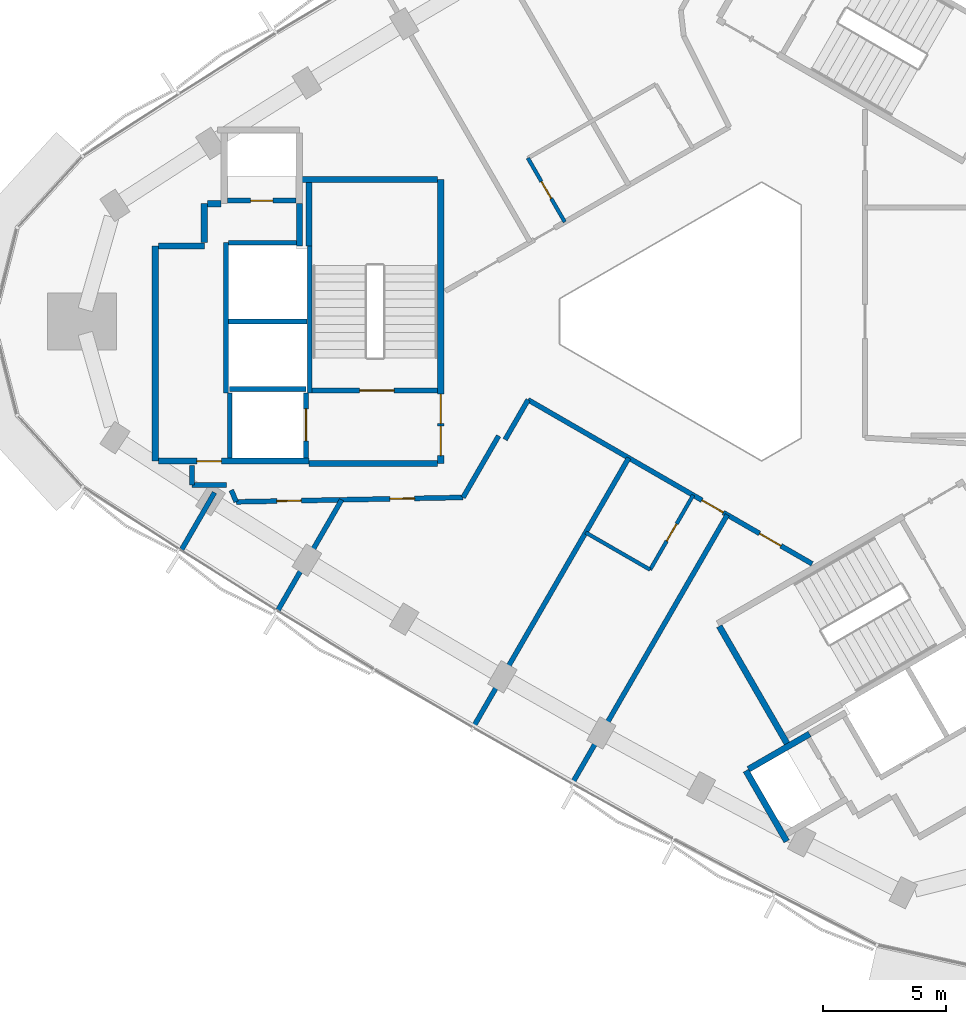
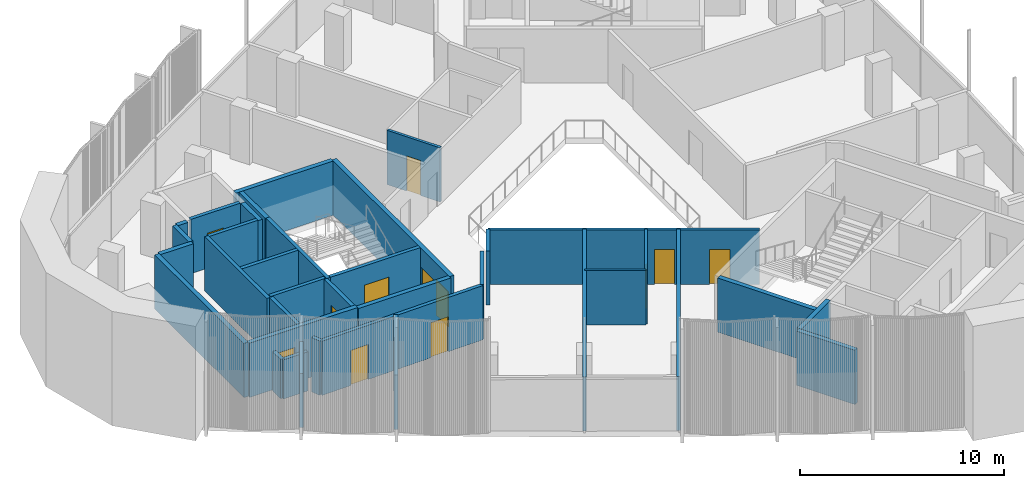
# One storey, part 8 of 16: 36 walls, 12 doors, 12 openings.
"""IFC4 building model written with IfcOpenShell, lengths in metres."""

from ifc_helpers import new_model, si_unit, direction, frame, frame_2d, origin, place, context, subcontext, project, spatial, rectangle, extrude, material, layer, layer_set, type_object, element, fill, save


model = new_model("IFC4")

# Units and contexts
model_context = context("Model", 3, precision=1e-05, world=origin(), true_north=direction((0.0, 1.0)))
body_context = subcontext(model_context, "Body", "Model", "MODEL_VIEW")
ifc_project = project(units=[si_unit("LENGTHUNIT", "METRE"), si_unit("AREAUNIT", "SQUARE_METRE"), si_unit("VOLUMEUNIT", "CUBIC_METRE"), si_unit("PLANEANGLEUNIT", "RADIAN"), si_unit("MASSUNIT", "GRAM", prefix="KILO")], contexts=[model_context])

# Site, building, storey
site_placement = place(None, origin())
site = spatial("IfcSite", under=ifc_project, at=site_placement, CompositionType="ELEMENT")
building_placement = place(site_placement, origin())
building = spatial("IfcBuilding", under=site, at=building_placement, Name="Tamra Quay Hotel Tower", CompositionType="ELEMENT")
storey_placement = place(building_placement, frame((0.0, 0.0, 243.0)))
storey = spatial("IfcBuildingStorey", under=building, at=storey_placement, Name="L61", CompositionType="ELEMENT", Elevation=243.0)

# Walls
ifc_material_1 = material(Name="Concrete M70", Category="concrete")
ifc_layer_1 = layer(ifc_material_1, 0.199951171875)
ifc_layer_set_1 = layer_set([ifc_layer_1], Name="Concrete M70 core wall 200")
wall_type_1 = type_object("IfcWallType", Name="Concrete M70 core wall 200", PredefinedType="SHEAR", material=ifc_layer_set_1)
wall_1_placement = place(storey_placement, frame((-16.162109375, 3.073974609375, 0.0), z_axis=(0.0, 0.0, 1.0), x_axis=(0.0, -1.0, 0.0)))
element("IfcWall", 1, at=wall_1_placement, inside=storey, type_object=wall_type_1, Name="CW2", PredefinedType="SHEAR", context=body_context, shape_type="SweptSolid", body=[
    extrude(rectangle(XDim=5.97412109375, YDim=0.199951171875, at=frame_2d((2.987060546875, 0.0))), origin(), (0.0, 0.0, 1.0), 3.25),
])
wall_2_placement = place(storey_placement, frame((-19.5625, -2.900146484375, 0.0), z_axis=(0.0, 0.0, 1.0), x_axis=(0.0, 1.0, 0.0)))
element("IfcWall", 2, at=wall_2_placement, inside=storey, type_object=wall_type_1, Name="CW2", PredefinedType="SHEAR", context=body_context, shape_type="SweptSolid", body=[
    extrude(rectangle(XDim=6.100341796875, YDim=0.199951171875, at=frame_2d((3.05029296875, 0.0))), origin(), (0.0, 0.0, 1.0), 3.25),
])

# Wall, opening, door
wall_3_placement = place(storey_placement, frame((-10.96337890625, -2.800048828125, 0.0), z_axis=(0.0, 0.0, 1.0), x_axis=(-1.0, 0.0, 0.0)))
wall_3 = element("IfcWall", 3, at=wall_3_placement, inside=storey, type_object=wall_type_1, Name="CW2", PredefinedType="SHEAR", context=body_context, shape_type="SweptSolid", body=[
    extrude(rectangle(XDim=5.097900390625, YDim=0.199951171875, at=frame_2d((2.548828125, 0.0))), origin(), (0.0, 0.0, 1.0), 3.25),
])
opening_1_placement = place(wall_3_placement, frame((1.77392578125, 0.0, 0.0)))
opening_1 = element("IfcOpeningElement", 4, at=opening_1_placement, cuts=wall_3, Name="Opening FD2", PredefinedType="OPENING", context=body_context, shape_type="SweptSolid", body=[
    extrude(rectangle(XDim=1.39990234375, YDim=2.10009765625, at=frame_2d((0.699951171875, 1.050048828125))), frame((0.0, 0.10986328125, 0.0), z_axis=(0.0, -1.0, 0.0), x_axis=(1.0, 0.0, 0.0)), (0.0, 0.0, 1.0), 0.219970703125),
])
ifc_material_2 = material(Name="Core door FD2 1400x2100 RH")
door_type_1 = type_object("IfcDoorType", Name="Core door FD2 1400x2100 RH", OperationType="NOTDEFINED", PredefinedType="DOOR", material=ifc_material_2)
door_1_placement = place(opening_1_placement, origin())
door_1 = element("IfcDoor", 5, at=door_1_placement, inside=storey, type_object=door_type_1, Name="FD2", OperationType="SINGLE_SWING_RIGHT", OverallHeight=2.10009765625, OverallWidth=1.39990234375, PredefinedType="DOOR", context=body_context, shape_type="SweptSolid", body=[
    extrude(rectangle(XDim=1.39990234375, YDim=2.10009765625, at=frame_2d((0.699951171875, 1.050048828125))), frame((0.0, 0.02490234375, 0.0), z_axis=(0.0, -1.0, 0.0), x_axis=(1.0, 0.0, 0.0)), (0.0, 0.0, 1.0), 0.050048828125),
])
fill(opening_1, door_1)

# Wall
wall_4_placement = place(storey_placement, frame((-16.26318359375, 0.0, 0.0), z_axis=(0.0, 0.0, 1.0), x_axis=(-1.0, 0.0, 0.0)))
element("IfcWall", 6, at=wall_4_placement, inside=storey, type_object=wall_type_1, Name="CW2", PredefinedType="SHEAR", context=body_context, shape_type="SweptSolid", body=[
    extrude(rectangle(XDim=3.1982421875, YDim=0.199951171875, at=frame_2d((1.59912109375, 0.0))), origin(), (0.0, 0.0, 1.0), 3.25),
])

# Wall, opening, door
wall_5_placement = place(storey_placement, frame((-19.51123046875, 4.91015625, 0.0), z_axis=(0.0, 0.0, 1.0), x_axis=(1.0, 0.0, 0.0)))
wall_5 = element("IfcWall", 7, at=wall_5_placement, inside=storey, type_object=wall_type_1, Name="CW2", PredefinedType="SHEAR", context=body_context, shape_type="SweptSolid", body=[
    extrude(rectangle(XDim=2.7978515625, YDim=0.199951171875, at=frame_2d((1.39892578125, 0.0))), origin(), (0.0, 0.0, 1.0), 3.25),
])
opening_2_placement = place(wall_5_placement, frame((0.948974609375, 0.0, 0.0)))
opening_2 = element("IfcOpeningElement", 8, at=opening_2_placement, cuts=wall_5, Name="Opening D1", PredefinedType="OPENING", context=body_context, shape_type="SweptSolid", body=[
    extrude(rectangle(XDim=0.89990234375, YDim=2.10009765625, at=frame_2d((0.449951171875, 1.050048828125))), frame((0.0, 0.10986328125, 0.0), z_axis=(0.0, -1.0, 0.0), x_axis=(1.0, 0.0, 0.0)), (0.0, 0.0, 1.0), 0.219970703125),
])
ifc_material_3 = material(Name="Core door D1 900x2100 LH")
door_type_2 = type_object("IfcDoorType", Name="Core door D1 900x2100 LH", OperationType="NOTDEFINED", PredefinedType="DOOR", material=ifc_material_3)
door_2_placement = place(opening_2_placement, origin())
door_2 = element("IfcDoor", 9, at=door_2_placement, inside=storey, type_object=door_type_2, Name="D1", OperationType="SINGLE_SWING_LEFT", OverallHeight=2.10009765625, OverallWidth=0.89990234375, PredefinedType="DOOR", context=body_context, shape_type="SweptSolid", body=[
    extrude(rectangle(XDim=0.89990234375, YDim=2.10009765625, at=frame_2d((0.449951171875, 1.050048828125))), frame((0.0, 0.02490234375, 0.0), z_axis=(0.0, -1.0, 0.0), x_axis=(1.0, 0.0, 0.0)), (0.0, 0.0, 1.0), 0.050048828125),
])
fill(opening_2, door_2)

# Walls
wall_6_placement = place(storey_placement, frame((-19.46240234375, 3.2001953125, 0.0), z_axis=(0.0, 0.0, 1.0), x_axis=(1.0, 0.0, 0.0)))
element("IfcWall", 10, at=wall_6_placement, inside=storey, type_object=wall_type_1, Name="CW2", PredefinedType="SHEAR", context=body_context, shape_type="SweptSolid", body=[
    extrude(rectangle(XDim=2.759033203125, YDim=0.199951171875, at=frame_2d((1.37939453125, 0.0))), origin(), (0.0, 0.0, 1.0), 3.25),
])
wall_7_placement = place(storey_placement, frame((-19.412353515625, -2.75, 0.0), z_axis=(0.0, 0.0, 1.0), x_axis=(1.0, 0.0, 0.0)))
element("IfcWall", 11, at=wall_7_placement, inside=storey, type_object=wall_type_1, Name="CW2", PredefinedType="SHEAR", context=body_context, shape_type="SweptSolid", body=[
    extrude(rectangle(XDim=3.10009765625, YDim=0.199951171875, at=frame_2d((1.550048828125, 0.0))), origin(), (0.0, 0.0, 1.0), 3.25),
])

# Wall, opening, door
wall_8_placement = place(storey_placement, frame((-16.312255859375, -2.898193359375, 0.0), z_axis=(0.0, 0.0, 1.0), x_axis=(0.0, -1.0, 0.0)))
wall_8 = element("IfcWall", 12, at=wall_8_placement, inside=storey, type_object=wall_type_1, Name="CW2", PredefinedType="SHEAR", context=body_context, shape_type="SweptSolid", body=[
    extrude(rectangle(XDim=2.65087890625, YDim=0.199951171875, at=frame_2d((1.325439453125, 0.0))), origin(), (0.0, 0.0, 1.0), 3.25),
])
opening_3_placement = place(wall_8_placement, frame((0.65185546875, 0.0, 0.0)))
opening_3 = element("IfcOpeningElement", 13, at=opening_3_placement, cuts=wall_8, Name="Opening LD", PredefinedType="OPENING", context=body_context, shape_type="SweptSolid", body=[
    extrude(rectangle(XDim=1.300048828125, YDim=2.10009765625, at=frame_2d((0.64990234375, 1.050048828125))), frame((0.0, 0.10986328125, 0.0), z_axis=(0.0, -1.0, 0.0), x_axis=(1.0, 0.0, 0.0)), (0.0, 0.0, 1.0), 0.219970703125),
])
ifc_material_4 = material(Name="Landing door LD 1300 sliding to right")
door_type_3 = type_object("IfcDoorType", Name="Landing door LD 1300 sliding to right", OperationType="NOTDEFINED", PredefinedType="DOOR", material=ifc_material_4)
door_3_placement = place(opening_3_placement, origin())
door_3 = element("IfcDoor", 14, at=door_3_placement, inside=storey, type_object=door_type_3, Name="LD", OperationType="SLIDING_TO_RIGHT", OverallHeight=2.10009765625, OverallWidth=1.300048828125, PredefinedType="DOOR", context=body_context, shape_type="SweptSolid", body=[
    extrude(rectangle(XDim=1.300048828125, YDim=2.10009765625, at=frame_2d((0.64990234375, 1.050048828125))), frame((0.0, 0.02490234375, 0.0), z_axis=(0.0, -1.0, 0.0), x_axis=(1.0, 0.0, 0.0)), (0.0, 0.0, 1.0), 0.050048828125),
])
fill(opening_3, door_3)

# Wall
wall_9_placement = place(storey_placement, frame((-19.412353515625, -5.549072265625, 0.0), z_axis=(0.0, 0.0, 1.0), x_axis=(0.0, 1.0, 0.0)))
element("IfcWall", 15, at=wall_9_placement, inside=storey, type_object=wall_type_1, Name="CW2", PredefinedType="SHEAR", context=body_context, shape_type="SweptSolid", body=[
    extrude(rectangle(XDim=2.65087890625, YDim=0.199951171875, at=frame_2d((1.325439453125, 0.0))), origin(), (0.0, 0.0, 1.0), 3.25),
])

# Wall, openings, doors
ifc_layer_2 = layer(ifc_material_1, 0.25)
ifc_layer_set_2 = layer_set([ifc_layer_2], Name="Concrete M70 core wall 250")
wall_type_2 = type_object("IfcWallType", Name="Concrete M70 core wall 250", PredefinedType="SHEAR", material=ifc_layer_set_2)
wall_10_placement = place(storey_placement, frame((-10.83740234375, 5.77490234375, 0.0), z_axis=(0.0, 0.0, 1.0), x_axis=(0.0, -1.0, 0.0)))
wall_10 = element("IfcWall", 16, at=wall_10_placement, inside=storey, type_object=wall_type_2, Name="CW1", PredefinedType="SHEAR", context=body_context, shape_type="SweptSolid", body=[
    extrude(rectangle(XDim=11.5498046875, YDim=0.25, at=frame_2d((5.77490234375, 0.0))), origin(), (0.0, 0.0, 1.0), 3.25),
])
opening_4_placement = place(wall_10_placement, frame((10.02490234375, 0.0, 0.0)))
opening_4 = element("IfcOpeningElement", 17, at=opening_4_placement, cuts=wall_10, Name="Opening FD1", PredefinedType="OPENING", context=body_context, shape_type="SweptSolid", body=[
    extrude(rectangle(XDim=1.199951171875, YDim=2.10009765625, at=frame_2d((0.60009765625, 1.050048828125))), frame((0.0, 0.135009765625, 0.0), z_axis=(0.0, -1.0, 0.0), x_axis=(1.0, 0.0, 0.0)), (0.0, 0.0, 1.0), 0.27001953125),
])
opening_5_placement = place(wall_10_placement, frame((8.72509765625, 0.0, 0.0)))
opening_5 = element("IfcOpeningElement", 18, at=opening_5_placement, cuts=wall_10, Name="Opening FD1", PredefinedType="OPENING", context=body_context, shape_type="SweptSolid", body=[
    extrude(rectangle(XDim=1.199951171875, YDim=2.10009765625, at=frame_2d((0.60009765625, 1.050048828125))), frame((0.0, 0.135009765625, 0.0), z_axis=(0.0, -1.0, 0.0), x_axis=(1.0, 0.0, 0.0)), (0.0, 0.0, 1.0), 0.27001953125),
])
ifc_material_5 = material(Name="Core door FD1 1200x2100 LH")
door_type_4 = type_object("IfcDoorType", Name="Core door FD1 1200x2100 LH", OperationType="NOTDEFINED", PredefinedType="DOOR", material=ifc_material_5)
door_4_placement = place(opening_4_placement, origin())
door_4 = element("IfcDoor", 19, at=door_4_placement, inside=storey, type_object=door_type_4, Name="FD1", OperationType="SINGLE_SWING_LEFT", OverallHeight=2.10009765625, OverallWidth=1.199951171875, PredefinedType="DOOR", context=body_context, shape_type="SweptSolid", body=[
    extrude(rectangle(XDim=1.199951171875, YDim=2.10009765625, at=frame_2d((0.60009765625, 1.050048828125))), frame((0.0, 0.02490234375, 0.0), z_axis=(0.0, -1.0, 0.0), x_axis=(1.0, 0.0, 0.0)), (0.0, 0.0, 1.0), 0.050048828125),
])
fill(opening_4, door_4)
ifc_material_6 = material(Name="Core door FD1 1200x2100 RH")
door_type_5 = type_object("IfcDoorType", Name="Core door FD1 1200x2100 RH", OperationType="NOTDEFINED", PredefinedType="DOOR", material=ifc_material_6)
door_5_placement = place(opening_5_placement, origin())
door_5 = element("IfcDoor", 20, at=door_5_placement, inside=storey, type_object=door_type_5, Name="FD1", OperationType="SINGLE_SWING_RIGHT", OverallHeight=2.10009765625, OverallWidth=1.199951171875, PredefinedType="DOOR", context=body_context, shape_type="SweptSolid", body=[
    extrude(rectangle(XDim=1.199951171875, YDim=2.10009765625, at=frame_2d((0.60009765625, 1.050048828125))), frame((0.0, 0.02490234375, 0.0), z_axis=(0.0, -1.0, 0.0), x_axis=(1.0, 0.0, 0.0)), (0.0, 0.0, 1.0), 0.050048828125),
])
fill(opening_5, door_5)

# Wall
wall_11_placement = place(storey_placement, frame((-22.437255859375, -5.675048828125, 0.0), z_axis=(0.0, 0.0, 1.0), x_axis=(0.0, 1.0, 0.0)))
element("IfcWall", 21, at=wall_11_placement, inside=storey, type_object=wall_type_2, Name="CW1", PredefinedType="SHEAR", context=body_context, shape_type="SweptSolid", body=[
    extrude(rectangle(XDim=8.75, YDim=0.25, at=frame_2d((4.375, 0.0))), origin(), (0.0, 0.0, 1.0), 3.25),
])

# Wall, opening, door
wall_12_placement = place(storey_placement, frame((-16.187255859375, -5.675048828125, 0.0), z_axis=(0.0, 0.0, 1.0), x_axis=(-1.0, 0.0, 0.0)))
wall_12 = element("IfcWall", 22, at=wall_12_placement, inside=storey, type_object=wall_type_2, Name="CW1", PredefinedType="SHEAR", context=body_context, shape_type="SweptSolid", body=[
    extrude(rectangle(XDim=6.12451171875, YDim=0.25, at=frame_2d((3.062255859375, 0.0))), origin(), (0.0, 0.0, 1.0), 3.25),
])
opening_6_placement = place(wall_12_placement, frame((3.562744140625, 0.0, 0.0)))
opening_6 = element("IfcOpeningElement", 23, at=opening_6_placement, cuts=wall_12, Name="Opening FD3", PredefinedType="OPENING", context=body_context, shape_type="SweptSolid", body=[
    extrude(rectangle(XDim=1.0, YDim=2.10009765625, at=frame_2d((0.5, 1.050048828125))), frame((0.0, 0.135009765625, 0.0), z_axis=(0.0, -1.0, 0.0), x_axis=(1.0, 0.0, 0.0)), (0.0, 0.0, 1.0), 0.27001953125),
])
ifc_material_7 = material(Name="Core door FD3 1000x2100 LH")
door_type_6 = type_object("IfcDoorType", Name="Core door FD3 1000x2100 LH", OperationType="NOTDEFINED", PredefinedType="DOOR", material=ifc_material_7)
door_6_placement = place(opening_6_placement, origin())
door_6 = element("IfcDoor", 24, at=door_6_placement, inside=storey, type_object=door_type_6, Name="FD3", OperationType="SINGLE_SWING_LEFT", OverallHeight=2.10009765625, OverallWidth=1.0, PredefinedType="DOOR", context=body_context, shape_type="SweptSolid", body=[
    extrude(rectangle(XDim=1.0, YDim=2.10009765625, at=frame_2d((0.5, 1.050048828125))), frame((0.0, 0.02490234375, 0.0), z_axis=(0.0, -1.0, 0.0), x_axis=(1.0, 0.0, 0.0)), (0.0, 0.0, 1.0), 0.050048828125),
])
fill(opening_6, door_6)

# Walls
wall_13_placement = place(storey_placement, frame((-10.962646484375, -5.77490234375, 0.0), z_axis=(0.0, 0.0, 1.0), x_axis=(-1.0, 0.0, 0.0)))
element("IfcWall", 25, at=wall_13_placement, inside=storey, type_object=wall_type_2, Name="CW1", PredefinedType="SHEAR", context=body_context, shape_type="SweptSolid", body=[
    extrude(rectangle(XDim=5.224609375, YDim=0.25, at=frame_2d((2.6123046875, 0.0))), origin(), (0.0, 0.0, 1.0), 3.25),
])
wall_14_placement = place(storey_placement, frame((-16.47216796875, 5.77490234375, 0.0), z_axis=(0.0, 0.0, 1.0), x_axis=(1.0, 0.0, 0.0)))
element("IfcWall", 26, at=wall_14_placement, inside=storey, type_object=wall_type_2, Name="CW1", PredefinedType="SHEAR", context=body_context, shape_type="SweptSolid", body=[
    extrude(rectangle(XDim=5.509521484375, YDim=0.25, at=frame_2d((2.7548828125, 0.0))), origin(), (0.0, 0.0, 1.0), 3.25),
])
wall_15_placement = place(storey_placement, frame((-16.187255859375, 3.074951171875, 0.0), z_axis=(0.0, 0.0, 1.0), x_axis=(0.0, 1.0, 0.0)))
element("IfcWall", 27, at=wall_15_placement, inside=storey, type_object=wall_type_2, Name="CW1", PredefinedType="SHEAR", context=body_context, shape_type="SweptSolid", body=[
    extrude(rectangle(XDim=2.57470703125, YDim=0.25, at=frame_2d((1.287353515625, 0.0))), origin(), (0.0, 0.0, 1.0), 3.25),
])
wall_16_placement = place(storey_placement, frame((-22.311767578125, 3.074951171875, 0.0), z_axis=(0.0, 0.0, 1.0), x_axis=(1.0, 0.0, 0.0)))
element("IfcWall", 28, at=wall_16_placement, inside=storey, type_object=wall_type_2, Name="CW1", PredefinedType="SHEAR", context=body_context, shape_type="SweptSolid", body=[
    extrude(rectangle(XDim=1.864501953125, YDim=0.25, at=frame_2d((0.93212890625, 0.0))), origin(), (0.0, 0.0, 1.0), 3.25),
])
wall_17_placement = place(storey_placement, frame((-16.577392578125, 4.784912109375, 0.0), z_axis=(0.0, 0.0, 1.0), x_axis=(0.0, -1.0, 0.0)))
element("IfcWall", 29, at=wall_17_placement, inside=storey, type_object=wall_type_2, Name="CW1", PredefinedType="SHEAR", context=body_context, shape_type="SweptSolid", body=[
    extrude(rectangle(XDim=1.7099609375, YDim=0.25, at=frame_2d((0.85498046875, 0.0))), origin(), (0.0, 0.0, 1.0), 3.25),
])
wall_18_placement = place(storey_placement, frame((-20.447265625, 3.200439453125, 0.0), z_axis=(0.0, 0.0, 1.0), x_axis=(0.0, 1.0, 0.0)))
element("IfcWall", 30, at=wall_18_placement, inside=storey, type_object=wall_type_2, Name="CW1", PredefinedType="SHEAR", context=body_context, shape_type="SweptSolid", body=[
    extrude(rectangle(XDim=1.58447265625, YDim=0.25, at=frame_2d((0.792236328125, 0.0))), origin(), (0.0, 0.0, 1.0), 3.25),
])
wall_19_placement = place(storey_placement, frame((-20.32177734375, 4.784912109375, 0.0), z_axis=(0.0, 0.0, 1.0), x_axis=(1.0, 0.0, 0.0)))
element("IfcWall", 31, at=wall_19_placement, inside=storey, type_object=wall_type_2, Name="CW1", PredefinedType="SHEAR", context=body_context, shape_type="SweptSolid", body=[
    extrude(rectangle(XDim=0.55908203125, YDim=0.25, at=frame_2d((0.279541015625, 0.0))), origin(), (0.0, 0.0, 1.0), 3.25),
])
wall_20_placement = place(storey_placement, frame((3.23486328125, -17.15283203125, 0.0), z_axis=(0.0, 0.0, 1.0), x_axis=(-0.500008851346, 0.866020293397, 0.0)))
element("IfcWall", 32, at=wall_20_placement, inside=storey, type_object=wall_type_2, Name="CW1", PredefinedType="SHEAR", context=body_context, shape_type="SweptSolid", body=[
    extrude(rectangle(XDim=5.509765625, YDim=0.25, at=frame_2d((2.7548828125, 0.0))), origin(), (0.0, 0.0, 1.0), 3.25),
])
wall_21_placement = place(storey_placement, frame((3.216796875, -21.12158203125, 0.0), z_axis=(0.0, 0.0, 1.0), x_axis=(-0.499998874531, 0.866026053573, 0.0)))
element("IfcWall", 33, at=wall_21_placement, inside=storey, type_object=wall_type_2, Name="CW1", PredefinedType="SHEAR", context=body_context, shape_type="SweptSolid", body=[
    extrude(rectangle(XDim=3.31298828125, YDim=0.25, at=frame_2d((1.656494140625, 0.0))), origin(), (0.0, 0.0, 1.0), 3.25),
])
wall_22_placement = place(storey_placement, frame((1.6689453125, -18.189697265625, 0.0), z_axis=(0.0, 0.0, 1.0), x_axis=(0.866042235819, 0.499970844928, 0.0)))
element("IfcWall", 34, at=wall_22_placement, inside=storey, type_object=wall_type_2, Name="CW1", PredefinedType="SHEAR", context=body_context, shape_type="SweptSolid", body=[
    extrude(rectangle(XDim=2.864501953125, YDim=0.25, at=frame_2d((1.43212890625, 0.0))), origin(), (0.0, 0.0, 1.0), 3.25),
])
ifc_material_8 = material(Name="Partition corridor wall")
ifc_layer_3 = layer(ifc_material_8, 0.199951171875)
ifc_layer_set_3 = layer_set([ifc_layer_3], Name="Partition corridor wall")
wall_type_3 = type_object("IfcWallType", Name="Partition corridor wall", PredefinedType="PARTITIONING", material=ifc_layer_set_3)
wall_23_placement = place(storey_placement, frame((-20.949951171875, -6.64990234375, 0.0), z_axis=(0.0, 0.0, 1.0), x_axis=(0.0, 1.0, 0.0)))
element("IfcWall", 35, at=wall_23_placement, inside=storey, type_object=wall_type_3, Name="W-C", PredefinedType="PARTITIONING", context=body_context, shape_type="SweptSolid", body=[
    extrude(rectangle(XDim=0.789794921875, YDim=0.199951171875, at=frame_2d((0.39501953125, 0.0))), origin(), (0.0, 0.0, 1.0), 2.35009765625),
])
wall_24_placement = place(storey_placement, frame((-20.949951171875, -6.64990234375, 0.0), z_axis=(0.0, 0.0, 1.0), x_axis=(1.0, 0.0, 0.0)))
element("IfcWall", 36, at=wall_24_placement, inside=storey, type_object=wall_type_3, Name="W-C", PredefinedType="PARTITIONING", context=body_context, shape_type="SweptSolid", body=[
    extrude(rectangle(XDim=1.39990234375, YDim=0.199951171875, at=frame_2d((0.699951171875, 0.0))), origin(), (0.0, 0.0, 1.0), 2.35009765625),
])
wall_25_placement = place(storey_placement, frame((-19.14990234375, -7.327880859375, 0.0), z_axis=(0.0, 0.0, 1.0), x_axis=(-0.38712813986, 0.92202592335, 0.0)))
element("IfcWall", 37, at=wall_25_placement, inside=storey, type_object=wall_type_3, Name="W-C", PredefinedType="PARTITIONING", context=body_context, shape_type="SweptSolid", body=[
    extrude(rectangle(XDim=0.51708984375, YDim=0.199951171875, at=frame_2d((0.258544921875, 0.0))), origin(), (0.0, 0.0, 1.0), 3.25),
])

# Wall, openings, doors
wall_26_placement = place(storey_placement, frame((-19.14892578125, -7.3291015625, 0.0), z_axis=(0.0, 0.0, 1.0), x_axis=(0.999808990333, 0.019544381503, 0.0)))
wall_26 = element("IfcWall", 38, at=wall_26_placement, inside=storey, type_object=wall_type_3, Name="W-C", PredefinedType="PARTITIONING", context=body_context, shape_type="SweptSolid", body=[
    extrude(rectangle(XDim=9.21875, YDim=0.199951171875, at=frame_2d((4.609375, 0.0))), origin(), (0.0, 0.0, 1.0), 3.25),
])
opening_7_placement = place(wall_26_placement, frame((1.64892578125, 0.0, 0.0)))
opening_7 = element("IfcOpeningElement", 39, at=opening_7_placement, cuts=wall_26, Name="Opening L61-D007", PredefinedType="OPENING", context=body_context, shape_type="SweptSolid", body=[
    extrude(rectangle(XDim=1.0, YDim=2.10009765625, at=frame_2d((0.5, 1.050048828125))), frame((0.0, 0.10986328125, 0.0), z_axis=(0.0, -1.0, 0.0), x_axis=(1.0, 0.0, 0.0)), (0.0, 0.0, 1.0), 0.219970703125),
])
opening_8_placement = place(wall_26_placement, frame((6.245361328125, 0.0, 0.0)))
opening_8 = element("IfcOpeningElement", 40, at=opening_8_placement, cuts=wall_26, Name="Opening L61-D008", PredefinedType="OPENING", context=body_context, shape_type="SweptSolid", body=[
    extrude(rectangle(XDim=1.0, YDim=2.10009765625, at=frame_2d((0.5, 1.050048828125))), frame((0.0, 0.10986328125, 0.0), z_axis=(0.0, -1.0, 0.0), x_axis=(1.0, 0.0, 0.0)), (0.0, 0.0, 1.0), 0.219970703125),
])
ifc_material_9 = material(Name="Door guest room 1000x2100")
door_type_7 = type_object("IfcDoorType", Name="Door guest room 1000x2100", OperationType="NOTDEFINED", PredefinedType="DOOR", material=ifc_material_9)
door_7_placement = place(opening_7_placement, frame((1.0, 0.0, 0.0), z_axis=(0.0, 0.0, 1.0), x_axis=(-1.0, 0.0, 0.0)))
door_7 = element("IfcDoor", 41, at=door_7_placement, inside=storey, type_object=door_type_7, Name="L61-D007", OperationType="SINGLE_SWING_LEFT", OverallHeight=2.10009765625, OverallWidth=1.0, PredefinedType="DOOR", context=body_context, shape_type="SweptSolid", body=[
    extrude(rectangle(XDim=1.0, YDim=2.10009765625, at=frame_2d((0.5, 1.050048828125))), frame((0.0, 0.02490234375, 0.0), z_axis=(0.0, -1.0, 0.0), x_axis=(1.0, 0.0, 0.0)), (0.0, 0.0, 1.0), 0.050048828125),
])
fill(opening_7, door_7)
door_8_placement = place(opening_8_placement, frame((1.0, 0.0, 0.0), z_axis=(0.0, 0.0, 1.0), x_axis=(-1.0, 0.0, 0.0)))
door_8 = element("IfcDoor", 42, at=door_8_placement, inside=storey, type_object=door_type_7, Name="L61-D008", OperationType="SINGLE_SWING_LEFT", OverallHeight=2.10009765625, OverallWidth=1.0, PredefinedType="DOOR", context=body_context, shape_type="SweptSolid", body=[
    extrude(rectangle(XDim=1.0, YDim=2.10009765625, at=frame_2d((0.5, 1.050048828125))), frame((0.0, 0.02490234375, 0.0), z_axis=(0.0, -1.0, 0.0), x_axis=(1.0, 0.0, 0.0)), (0.0, 0.0, 1.0), 0.050048828125),
])
fill(opening_8, door_8)

# Walls
wall_27_placement = place(storey_placement, frame((-9.930908203125, -7.14892578125, 0.0), z_axis=(0.0, 0.0, 1.0), x_axis=(0.499829760107, 0.866123669525, 0.0)))
element("IfcWall", 43, at=wall_27_placement, inside=storey, type_object=wall_type_3, Name="W-C", PredefinedType="PARTITIONING", context=body_context, shape_type="SweptSolid", body=[
    extrude(rectangle(XDim=2.888671875, YDim=0.199951171875, at=frame_2d((1.4443359375, 0.0))), origin(), (0.0, 0.0, 1.0), 3.25),
])
wall_28_placement = place(storey_placement, frame((-8.222900390625, -4.800048828125, 0.0), z_axis=(0.0, 0.0, 1.0), x_axis=(0.499835576036, 0.866120313195, 0.0)))
element("IfcWall", 44, at=wall_28_placement, inside=storey, type_object=wall_type_3, Name="W-C", PredefinedType="PARTITIONING", context=body_context, shape_type="SweptSolid", body=[
    extrude(rectangle(XDim=1.868408203125, YDim=0.199951171875, at=frame_2d((0.93408203125, 0.0))), origin(), (0.0, 0.0, 1.0), 3.25),
])

# Wall, openings, doors
wall_29_placement = place(storey_placement, frame((-7.2890625, -3.181884765625, 0.0), z_axis=(0.0, 0.0, 1.0), x_axis=(0.865979329032, -0.500079795322, 0.0)))
wall_29 = element("IfcWall", 45, at=wall_29_placement, inside=storey, type_object=wall_type_3, Name="W-C", PredefinedType="PARTITIONING", context=body_context, shape_type="SweptSolid", body=[
    extrude(rectangle(XDim=13.325927734375, YDim=0.199951171875, at=frame_2d((6.6630859375, 0.0))), origin(), (0.0, 0.0, 1.0), 3.25),
])
opening_9_placement = place(wall_29_placement, frame((8.15771484375, 0.0, 0.0)))
opening_9 = element("IfcOpeningElement", 46, at=opening_9_placement, cuts=wall_29, Name="Opening L61-D009", PredefinedType="OPENING", context=body_context, shape_type="SweptSolid", body=[
    extrude(rectangle(XDim=1.0, YDim=2.10009765625, at=frame_2d((0.5, 1.050048828125))), frame((0.0, 0.10986328125, 0.0), z_axis=(0.0, -1.0, 0.0), x_axis=(1.0, 0.0, 0.0)), (0.0, 0.0, 1.0), 0.219970703125),
])
opening_10_placement = place(wall_29_placement, frame((10.86474609375, 0.0, 0.0)))
opening_10 = element("IfcOpeningElement", 47, at=opening_10_placement, cuts=wall_29, Name="Opening L61-D011", PredefinedType="OPENING", context=body_context, shape_type="SweptSolid", body=[
    extrude(rectangle(XDim=1.0, YDim=2.10009765625, at=frame_2d((0.5, 1.050048828125))), frame((0.0, 0.10986328125, 0.0), z_axis=(0.0, -1.0, 0.0), x_axis=(1.0, 0.0, 0.0)), (0.0, 0.0, 1.0), 0.219970703125),
])
door_9_placement = place(opening_9_placement, frame((1.0, 0.0, 0.0), z_axis=(0.0, 0.0, 1.0), x_axis=(-1.0, 0.0, 0.0)))
door_9 = element("IfcDoor", 48, at=door_9_placement, inside=storey, type_object=door_type_7, Name="L61-D009", OperationType="SINGLE_SWING_LEFT", OverallHeight=2.10009765625, OverallWidth=1.0, PredefinedType="DOOR", context=body_context, shape_type="SweptSolid", body=[
    extrude(rectangle(XDim=1.0, YDim=2.10009765625, at=frame_2d((0.5, 1.050048828125))), frame((0.0, 0.02490234375, 0.0), z_axis=(0.0, -1.0, 0.0), x_axis=(1.0, 0.0, 0.0)), (0.0, 0.0, 1.0), 0.050048828125),
])
fill(opening_9, door_9)
door_10_placement = place(opening_10_placement, frame((1.0, 0.0, 0.0), z_axis=(0.0, 0.0, 1.0), x_axis=(-1.0, 0.0, 0.0)))
door_10 = element("IfcDoor", 49, at=door_10_placement, inside=storey, type_object=door_type_7, Name="L61-D011", OperationType="SINGLE_SWING_LEFT", OverallHeight=2.10009765625, OverallWidth=1.0, PredefinedType="DOOR", context=body_context, shape_type="SweptSolid", body=[
    extrude(rectangle(XDim=1.0, YDim=2.10009765625, at=frame_2d((0.5, 1.050048828125))), frame((0.0, 0.02490234375, 0.0), z_axis=(0.0, -1.0, 0.0), x_axis=(1.0, 0.0, 0.0)), (0.0, 0.0, 1.0), 0.050048828125),
])
fill(opening_10, door_10)

# Wall, opening, door
ifc_material_10 = material(Name="Partition en-suite wall")
ifc_layer_4 = layer(ifc_material_10, 0.14990234375)
ifc_layer_set_4 = layer_set([ifc_layer_4], Name="Partition en-suite wall")
wall_type_4 = type_object("IfcWallType", Name="Partition en-suite wall", PredefinedType="PARTITIONING", material=ifc_layer_set_4)
wall_30_placement = place(storey_placement, frame((-7.298095703125, 6.64111328125, 0.0), z_axis=(0.0, 0.0, 1.0), x_axis=(0.499990139034, -0.866031096941, 0.0)))
wall_30 = element("IfcWall", 50, at=wall_30_placement, inside=storey, type_object=wall_type_4, Name="W-E", PredefinedType="PARTITIONING", context=body_context, shape_type="SweptSolid", body=[
    extrude(rectangle(XDim=3.0, YDim=0.14990234375, at=frame_2d((1.5, 0.0))), origin(), (0.0, 0.0, 1.0), 3.25),
])
opening_11_placement = place(wall_30_placement, frame((1.100341796875, 0.0, 0.0)))
opening_11 = element("IfcOpeningElement", 51, at=opening_11_placement, cuts=wall_30, Name="Opening L61-D005", PredefinedType="OPENING", context=body_context, shape_type="SweptSolid", body=[
    extrude(rectangle(XDim=0.800048828125, YDim=2.10009765625, at=frame_2d((0.39990234375, 1.050048828125))), frame((0.0, 0.0849609375, 0.0), z_axis=(0.0, -1.0, 0.0), x_axis=(1.0, 0.0, 0.0)), (0.0, 0.0, 1.0), 0.169921875),
])
ifc_material_11 = material(Name="Door en-suite 800x2100")
door_type_8 = type_object("IfcDoorType", Name="Door en-suite 800x2100", OperationType="NOTDEFINED", PredefinedType="DOOR", material=ifc_material_11)
door_11_placement = place(opening_11_placement, origin())
door_11 = element("IfcDoor", 52, at=door_11_placement, inside=storey, type_object=door_type_8, Name="L61-D005", OperationType="SINGLE_SWING_LEFT", OverallHeight=2.10009765625, OverallWidth=0.800048828125, PredefinedType="DOOR", context=body_context, shape_type="SweptSolid", body=[
    extrude(rectangle(XDim=0.800048828125, YDim=2.10009765625, at=frame_2d((0.39990234375, 1.050048828125))), frame((0.0, 0.02490234375, 0.0), z_axis=(0.0, -1.0, 0.0), x_axis=(1.0, 0.0, 0.0)), (0.0, 0.0, 1.0), 0.050048828125),
])
fill(opening_11, door_11)

# Wall
wall_31_placement = place(storey_placement, frame((-4.949951171875, -8.573974609375, 0.0), z_axis=(0.0, 0.0, 1.0), x_axis=(0.866033665757, -0.499985689571, 0.0)))
element("IfcWall", 53, at=wall_31_placement, inside=storey, type_object=wall_type_4, Name="W-E", PredefinedType="PARTITIONING", context=body_context, shape_type="SweptSolid", body=[
    extrude(rectangle(XDim=3.02392578125, YDim=0.14990234375, at=frame_2d((1.511962890625, 0.0))), origin(), (0.0, 0.0, 1.0), 3.25),
])

# Wall, opening, door
wall_32_placement = place(storey_placement, frame((-2.3310546875, -10.0859375, 0.0), z_axis=(0.0, 0.0, 1.0), x_axis=(0.500010275428, 0.866019471182, 0.0)))
wall_32 = element("IfcWall", 54, at=wall_32_placement, inside=storey, type_object=wall_type_4, Name="W-E", PredefinedType="PARTITIONING", context=body_context, shape_type="SweptSolid", body=[
    extrude(rectangle(XDim=3.5, YDim=0.14990234375, at=frame_2d((1.75, 0.0))), origin(), (0.0, 0.0, 1.0), 3.25),
])
opening_12_placement = place(wall_32_placement, frame((1.35009765625, 0.0, 0.0)))
opening_12 = element("IfcOpeningElement", 55, at=opening_12_placement, cuts=wall_32, Name="Opening L61-D010", PredefinedType="OPENING", context=body_context, shape_type="SweptSolid", body=[
    extrude(rectangle(XDim=0.800048828125, YDim=2.10009765625, at=frame_2d((0.39990234375, 1.050048828125))), frame((0.0, 0.0849609375, 0.0), z_axis=(0.0, -1.0, 0.0), x_axis=(1.0, 0.0, 0.0)), (0.0, 0.0, 1.0), 0.169921875),
])
door_12_placement = place(opening_12_placement, origin())
door_12 = element("IfcDoor", 56, at=door_12_placement, inside=storey, type_object=door_type_8, Name="L61-D010", OperationType="SINGLE_SWING_LEFT", OverallHeight=2.10009765625, OverallWidth=0.800048828125, PredefinedType="DOOR", context=body_context, shape_type="SweptSolid", body=[
    extrude(rectangle(XDim=0.800048828125, YDim=2.10009765625, at=frame_2d((0.39990234375, 1.050048828125))), frame((0.0, 0.02490234375, 0.0), z_axis=(0.0, -1.0, 0.0), x_axis=(1.0, 0.0, 0.0)), (0.0, 0.0, 1.0), 0.050048828125),
])
fill(opening_12, door_12)

# Walls
ifc_material_12 = material(Name="Partition party wall")
ifc_layer_5 = layer(ifc_material_12, 0.199951171875)
ifc_layer_set_5 = layer_set([ifc_layer_5], Name="Partition party wall")
wall_type_5 = type_object("IfcWallType", Name="Partition party wall", PredefinedType="PARTITIONING", material=ifc_layer_set_5)
wall_33_placement = place(storey_placement, frame((-21.385498046875, -9.298828125, 0.0), z_axis=(0.0, 0.0, 1.0), x_axis=(0.499818570291, 0.86613012694, 0.0)))
element("IfcWall", 57, at=wall_33_placement, inside=storey, type_object=wall_type_5, Name="W-P", PredefinedType="PARTITIONING", context=body_context, shape_type="SweptSolid", body=[
    extrude(rectangle(XDim=2.7119140625, YDim=0.199951171875, at=frame_2d((1.35595703125, 0.0))), origin(), (0.0, 0.0, 1.0), 3.25),
])
wall_34_placement = place(storey_placement, frame((-17.467529296875, -11.755859375, 0.0), z_axis=(0.0, 0.0, 1.0), x_axis=(0.499890179513, 0.866088799389, 0.0)))
element("IfcWall", 58, at=wall_34_placement, inside=storey, type_object=wall_type_5, Name="W-P", PredefinedType="PARTITIONING", context=body_context, shape_type="SweptSolid", body=[
    extrude(rectangle(XDim=5.208251953125, YDim=0.199951171875, at=frame_2d((2.60400390625, 0.0))), origin(), (0.0, 0.0, 1.0), 3.25),
])
wall_35_placement = place(storey_placement, frame((-9.52490234375, -16.498046875, 0.0), z_axis=(0.0, 0.0, 1.0), x_axis=(0.500002007972, 0.866024244478, 0.0)))
element("IfcWall", 59, at=wall_35_placement, inside=storey, type_object=wall_type_5, Name="W-P", PredefinedType="PARTITIONING", context=body_context, shape_type="SweptSolid", body=[
    extrude(rectangle(XDim=12.64990234375, YDim=0.199951171875, at=frame_2d((6.324951171875, 0.0))), origin(), (0.0, 0.0, 1.0), 3.25),
])
wall_36_placement = place(storey_placement, frame((-5.502685546875, -18.781005859375, 0.0), z_axis=(0.0, 0.0, 1.0), x_axis=(0.499968699423, 0.866043474427, 0.0)))
element("IfcWall", 60, at=wall_36_placement, inside=storey, type_object=wall_type_5, Name="W-P", PredefinedType="PARTITIONING", context=body_context, shape_type="SweptSolid", body=[
    extrude(rectangle(XDim=12.615966796875, YDim=0.199951171875, at=frame_2d((6.30810546875, 0.0))), origin(), (0.0, 0.0, 1.0), 3.25),
])

save(model, "model.ifc")
